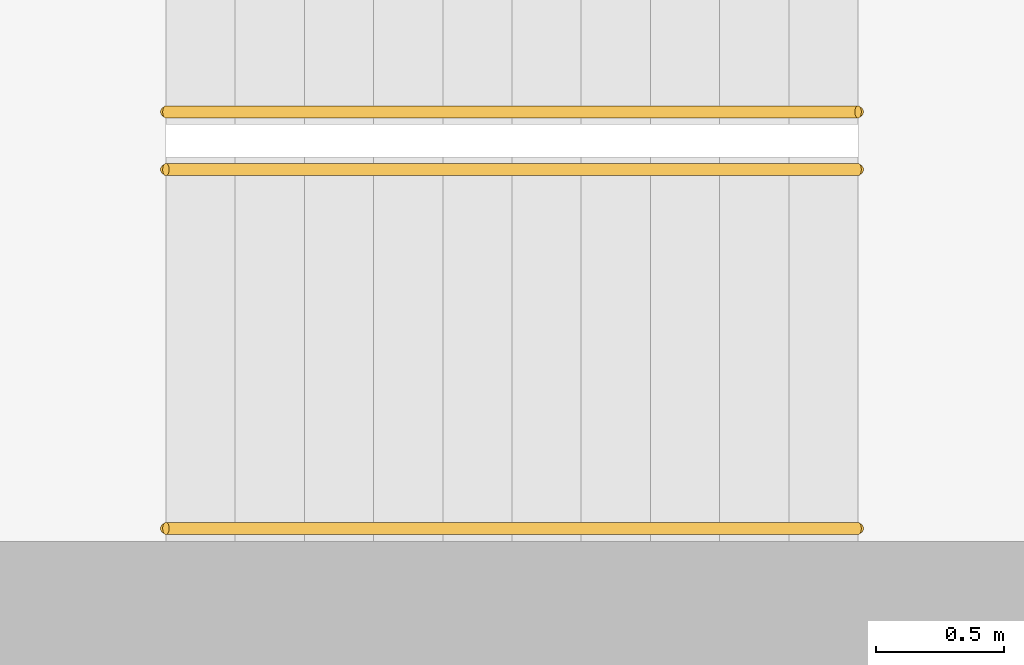
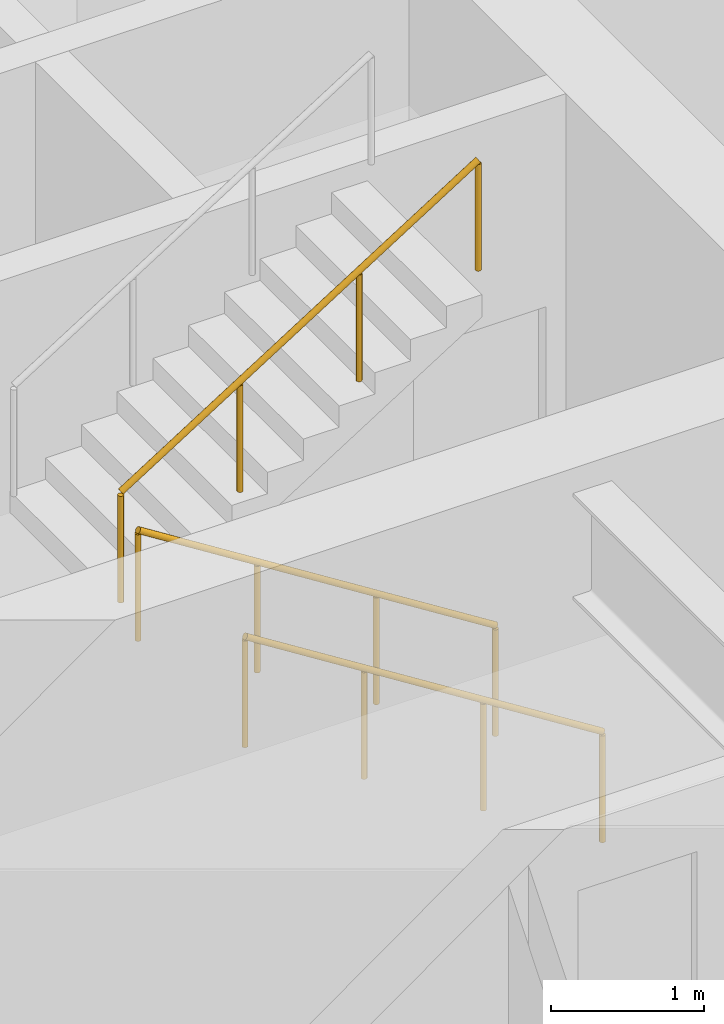
# One storey, part 14 of 18: 3 railings.
"""IFC4 building model written with IfcOpenShell, lengths in metres."""

from ifc_helpers import new_model, si_unit, direction, frame, origin, origin_2d, place, context, subcontext, project, spatial, circle, extrude, material, type_object, element, save


model = new_model("IFC4")

# Units and contexts
model_context = context("Model", 3, precision=1e-05, world=origin(), true_north=direction((0.0, 1.0)))
body_context = subcontext(model_context, "Body", "Model", "MODEL_VIEW")
ifc_project = project(units=[si_unit("LENGTHUNIT", "METRE"), si_unit("AREAUNIT", "SQUARE_METRE"), si_unit("VOLUMEUNIT", "CUBIC_METRE"), si_unit("PLANEANGLEUNIT", "RADIAN"), si_unit("MASSUNIT", "GRAM", prefix="KILO")], contexts=[model_context])

# Site, building, storey
site_placement = place(None, origin())
site = spatial("IfcSite", under=ifc_project, at=site_placement, CompositionType="ELEMENT")
building_placement = place(site_placement, origin())
building = spatial("IfcBuilding", under=site, at=building_placement, Name="Msasa Ring Tower", CompositionType="ELEMENT")
storey_placement = place(building_placement, frame((0.0, 0.0, 245.800048828125)))
storey = spatial("IfcBuildingStorey", under=building, at=storey_placement, Name="L64", CompositionType="ELEMENT", Elevation=245.800048828125)

# Railings
ifc_material = material(Name="Stainless steel", Category="steel")
railing_type = type_object("IfcRailingType", Name="HR1 HANDRAIL 900", PredefinedType="HANDRAIL", material=ifc_material)
for number, where, name in (
    (1, (-10.800048828125, -6.39990234375, 0.17041015625), "Handrail stair SWA L64 1"),
    (2, (-10.800048828125, -5.0, 0.17041015625), "Handrail stair SWA L64 2"),
):
    element("IfcRailing", number, at=place(storey_placement, frame(where)), inside=storey, type_object=railing_type, Name=name, PredefinedType="HANDRAIL", context=body_context, shape_type="SweptSolid", body=[
        extrude(circle(Radius=0.02392578125, at=origin_2d()), frame((0.0, 0.0, 0.8759765625), z_axis=(-0.845579735284, 0.0, 0.533849146555), x_axis=(0.0, -1.0, 0.0)), (0.0, 0.0, 1.0), 3.193115234375),
        extrude(circle(Radius=0.02099609375, at=origin_2d()), origin(), (0.0, 0.0, 1.0), 0.851806640625),
        extrude(circle(Radius=0.02099609375, at=origin_2d()), frame((-0.89990234375, 0.0, 0.568115234375)), (0.0, 0.0, 1.0), 0.851806640625),
        extrude(circle(Radius=0.02099609375, at=origin_2d()), frame((-1.800048828125, 0.0, 1.136474609375)), (0.0, 0.0, 1.0), 0.851806640625),
        extrude(circle(Radius=0.02099609375, at=origin_2d()), frame((-2.699951171875, 0.0, 1.70458984375)), (0.0, 0.0, 1.0), 0.851806640625),
    ])
railing_placement = place(storey_placement, frame((-13.5, -4.77490234375, 2.04541015625)))
element("IfcRailing", 3, at=railing_placement, inside=storey, type_object=railing_type, Name="Handrail stair SWA L64 3", PredefinedType="HANDRAIL", context=body_context, shape_type="SweptSolid", body=[
    extrude(circle(Radius=0.02392578125, at=origin_2d()), frame((0.0, 0.0, 0.8759765625), z_axis=(0.845579735284, 0.0, 0.533849146555), x_axis=(0.0, 1.0, 0.0)), (0.0, 0.0, 1.0), 3.193115234375),
    extrude(circle(Radius=0.02099609375, at=origin_2d()), origin(), (0.0, 0.0, 1.0), 0.851806640625),
    extrude(circle(Radius=0.02099609375, at=origin_2d()), frame((0.89990234375, 0.0, 0.568115234375)), (0.0, 0.0, 1.0), 0.851806640625),
    extrude(circle(Radius=0.02099609375, at=origin_2d()), frame((1.800048828125, 0.0, 1.136474609375)), (0.0, 0.0, 1.0), 0.851806640625),
    extrude(circle(Radius=0.02099609375, at=origin_2d()), frame((2.699951171875, 0.0, 1.70458984375)), (0.0, 0.0, 1.0), 0.851806640625),
])

save(model, "model.ifc")
